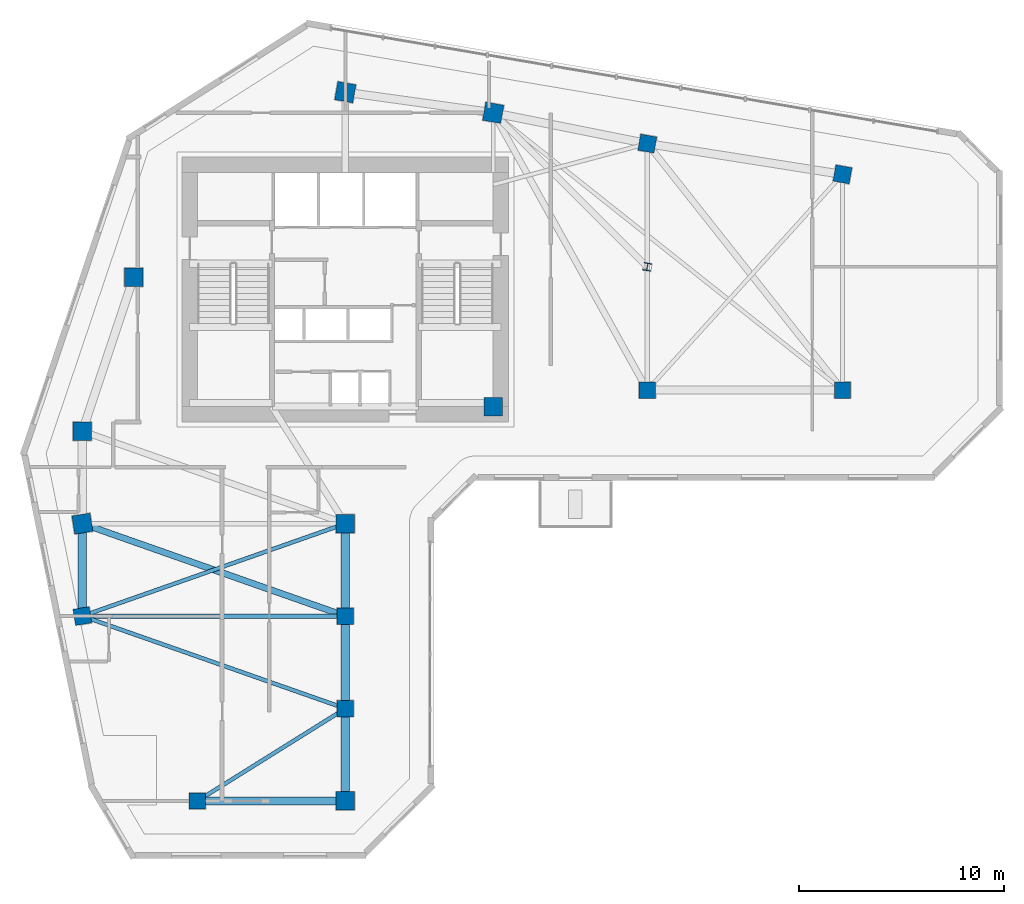
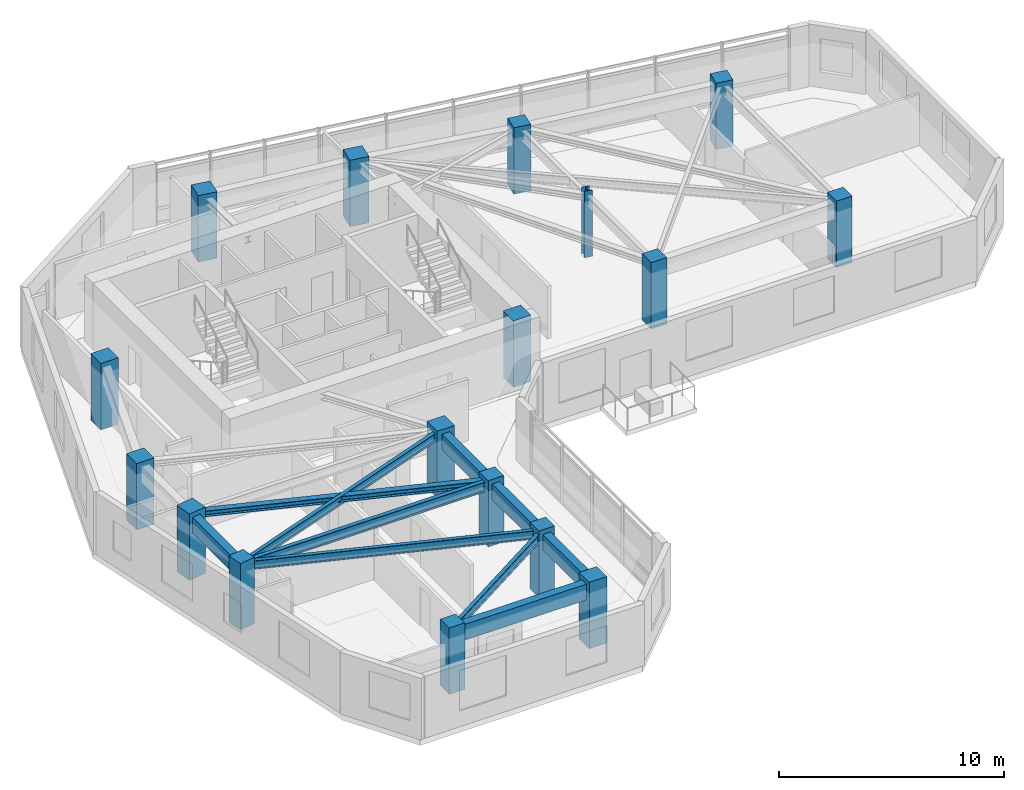
# One storey, part 1 of 10: 17 columns, 10 beams.
"""IFC4 building model written with IfcOpenShell, lengths in metres."""

from ifc_helpers import new_model, si_unit, direction, frame, origin, origin_2d, place, context, subcontext, project, spatial, rectangle, i_section, extrude, source, transform, mapped, material, material_profile, profile_set, type_object, element, save


model = new_model("IFC4")

# Units and contexts
model_context = context("Model", 3, precision=1e-05, world=origin(), true_north=direction((0.0, 1.0)))
body_context = subcontext(model_context, "Body", "Model", "MODEL_VIEW")
ifc_project = project(units=[si_unit("LENGTHUNIT", "METRE"), si_unit("AREAUNIT", "SQUARE_METRE"), si_unit("VOLUMEUNIT", "CUBIC_METRE"), si_unit("PLANEANGLEUNIT", "RADIAN"), si_unit("MASSUNIT", "GRAM", prefix="KILO")], contexts=[model_context])

# Site, building, storey
site_placement = place(None, origin())
site = spatial("IfcSite", under=ifc_project, at=site_placement, CompositionType="ELEMENT")
building_placement = place(site_placement, origin())
building = spatial("IfcBuilding", under=site, at=building_placement, Name="Calvemar Wedge Station Tower", CompositionType="ELEMENT")
storey_placement = place(building_placement, frame((0.0, 0.0, 139.39990234375)))
storey = spatial("IfcBuildingStorey", under=building, at=storey_placement, Name="L34", CompositionType="ELEMENT", Elevation=139.39990234375)

# Columns
ifc_material_1 = material(Name="Concrete C60", Category="concrete")
ifc_material_profile_1 = material_profile(ifc_material_1, rectangle(XDim=0.89990234375, YDim=0.89990234375, at=origin_2d()), Name="RC900x900")
ifc_profile_set_1 = profile_set([ifc_material_profile_1], Name="Concrete C60")
column_type_1 = type_object("IfcColumnType", Name="COL-C5-900", PredefinedType="COLUMN", material=ifc_profile_set_1)
shared_shape_1 = source(origin(), body_context, "Body", "SweptSolid", [
    extrude(rectangle(XDim=0.89990234375, YDim=0.89990234375, at=origin_2d()), origin(), (0.0, 0.0, 1.0), 3.60009765625),
])
for number, where, z_axis, x_axis, name in (
    (1, (11.0, 33.0, 0.0), (0.0, 0.0, 1.0), (1.0, 0.0, 0.0), "Storey L34 Column T-NW1"),
    (2, (13.5, 40.5, 0.0), (0.0, 0.0, 1.0), (1.0, 0.0, 0.0), "Storey L34 Column T-NW2"),
    (3, (23.800048828125, 49.5, 0.0), (0.0, 0.0, 1.0), (0.984195607969, -0.17708474032, 0.0), "Storey L34 Column T-N1"),
    (4, (31.0, 48.5, 0.0), (0.0, 0.0, 1.0), (0.984195607969, -0.17708474032, 0.0), "Storey L34 Column T-N2"),
    (5, (31.0, 34.199951171875, 0.0), (0.0, 0.0, 1.0), (1.0, 0.0, 0.0), "Storey L34 Column T-NL1"),
    (6, (11.0, 28.5, 0.0), (0.0, 0.0, 1.0), (0.158158067254, -0.987413806751, 0.0), "Storey L34 Column T-SW1"),
    (7, (23.800048828125, 28.5, 0.0), (0.0, 0.0, 1.0), (1.0, 0.0, 0.0), "Storey L34 Column T-SE1"),
    (8, (23.800048828125, 15.0, 0.0), (0.0, 0.0, 1.0), (1.0, 0.0, 0.0), "Storey L34 Column T-SE4"),
):
    element("IfcColumn", number, at=place(storey_placement, frame(where, z_axis=z_axis, x_axis=x_axis)), inside=storey, type_object=column_type_1, Name=name, PredefinedType="COLUMN", context=body_context, shape_type="MappedRepresentation", body=[
        mapped(shared_shape_1, transform((0.0, 0.0, 0.0), scale=1.0)),
    ])
ifc_material_2 = material(Name="Concrete C50", Category="concrete")
ifc_material_profile_2 = material_profile(ifc_material_2, rectangle(XDim=0.800048828125, YDim=0.800048828125, at=origin_2d()), Name="RC800x800")
ifc_profile_set_2 = profile_set([ifc_material_profile_2], Name="Concrete C50")
column_type_2 = type_object("IfcColumnType", Name="COL-C6-800", PredefinedType="COLUMN", material=ifc_profile_set_2)
shared_shape_2 = source(origin(), body_context, "Body", "SweptSolid", [
    extrude(rectangle(XDim=0.800048828125, YDim=0.800048828125, at=origin_2d()), origin(), (0.0, 0.0, 1.0), 3.60009765625),
])
for number, where, z_axis, x_axis, name in (
    (9, (38.5, 47.0, 0.0), (0.0, 0.0, 1.0), (0.984195607969, -0.17708474032, 0.0), "Storey L34 Column T-NU3"),
    (10, (48.0, 45.5, 0.0), (0.0, 0.0, 1.0), (0.984195607969, -0.17708474032, 0.0), "Storey L34 Column T-NU4"),
    (11, (38.5, 35.0, 0.0), (0.0, 0.0, 1.0), (1.0, 0.0, 0.0), "Storey L34 Column T-NL2"),
    (12, (48.0, 35.0, 0.0), (0.0, 0.0, 1.0), (1.0, 0.0, 0.0), "Storey L34 Column T-NL3"),
    (13, (11.0, 24.0, 0.0), (0.0, 0.0, 1.0), (0.158158067254, -0.987413806751, 0.0), "Storey L34 Column T-SW2"),
    (14, (23.800048828125, 24.0, 0.0), (0.0, 0.0, 1.0), (1.0, 0.0, 0.0), "Storey L34 Column T-SE2"),
    (15, (23.800048828125, 19.5, 0.0), (0.0, 0.0, 1.0), (1.0, 0.0, 0.0), "Storey L34 Column T-SE3"),
    (16, (16.60009765625, 15.0, 0.0), (0.0, 0.0, 1.0), (1.0, 0.0, 0.0), "Storey L34 Column T-SM1"),
):
    element("IfcColumn", number, at=place(storey_placement, frame(where, z_axis=z_axis, x_axis=x_axis)), inside=storey, type_object=column_type_2, Name=name, PredefinedType="COLUMN", context=body_context, shape_type="MappedRepresentation", body=[
        mapped(shared_shape_2, transform((0.0, 0.0, 0.0), scale=1.0)),
    ])
ifc_material_3 = material(Name="Structural steel ASTM A572 Grade 50", Category="steel")
ifc_material_profile_3 = material_profile(ifc_material_3, i_section(OverallWidth=0.3740234375, OverallDepth=0.3720703125, WebThickness=0.016357421875, FlangeThickness=0.026123046875, FilletRadius=0.014892578125, at=origin_2d()), Name="W360x196")
ifc_profile_set_3 = profile_set([ifc_material_profile_3], Name="Structural steel ASTM A572 Grade 50")
column_type_3 = type_object("IfcColumnType", Name="COL-STL-W360", PredefinedType="COLUMN", material=ifc_profile_set_3)
shared_shape_3 = source(origin(), body_context, "Body", "SweptSolid", [
    extrude(i_section(OverallWidth=0.3740234375, OverallDepth=0.3720703125, WebThickness=0.016357421875, FlangeThickness=0.026123046875, FilletRadius=0.014892578125, at=origin_2d()), origin(), (0.0, 0.0, 1.0), 3.60009765625),
])
column_placement = place(storey_placement, frame((38.5, 41.0, 0.0), z_axis=(0.0, 0.0, 1.0), x_axis=(0.984195607969, -0.17708474032, 0.0)))
element("IfcColumn", 17, at=column_placement, inside=storey, type_object=column_type_3, Name="Storey L34 Column T-NTIP-B", PredefinedType="COLUMN", context=body_context, shape_type="MappedRepresentation", body=[
    mapped(shared_shape_3, transform((0.0, 0.0, 0.0), scale=1.0)),
])

# Beams
ifc_material_profile_4 = material_profile(ifc_material_1, rectangle(XDim=0.39990234375, YDim=0.85009765625, at=origin_2d()), Name="RC400x850")
ifc_profile_set_4 = profile_set([ifc_material_profile_4], Name="Concrete C60")
beam_type_1 = type_object("IfcBeamType", Name="BM-SP1-850", PredefinedType="SPANDREL", material=ifc_profile_set_4)
shared_shape_4 = source(origin(), body_context, "Body", "SweptSolid", [
    extrude(rectangle(XDim=0.39990234375, YDim=0.85009765625, at=origin_2d()), origin(), (0.0, 0.0, 1.0), 4.5),
])
for number, where, z_axis, x_axis, name in (
    (18, (11.0, 28.5, 2.925048828125), (0.0, -1.0, 0.0), (1.0, 0.0, 0.0), "Storey L34 Spandrel T-SW1-T-SW2"),
    (19, (23.800048828125, 28.5, 2.925048828125), (0.0, -1.0, 0.0), (1.0, 0.0, 0.0), "Storey L34 Spandrel T-SE1-T-SE2"),
    (20, (23.800048828125, 24.0, 2.925048828125), (0.0, -1.0, 0.0), (1.0, 0.0, 0.0), "Storey L34 Spandrel T-SE2-T-SE3"),
    (21, (23.800048828125, 19.5, 2.925048828125), (0.0, -1.0, 0.0), (1.0, 0.0, 0.0), "Storey L34 Spandrel T-SE3-T-SE4"),
):
    element("IfcBeam", number, at=place(storey_placement, frame(where, z_axis=z_axis, x_axis=x_axis)), inside=storey, type_object=beam_type_1, Name=name, PredefinedType="SPANDREL", context=body_context, shape_type="MappedRepresentation", body=[
        mapped(shared_shape_4, transform((0.0, 0.0, 0.0), scale=1.0)),
    ])
shared_shape_5 = source(origin(), body_context, "Body", "SweptSolid", [
    extrude(rectangle(XDim=0.39990234375, YDim=0.85009765625, at=origin_2d()), origin(), (0.0, 0.0, 1.0), 7.199951171875),
])
beam_1_placement = place(storey_placement, frame((16.60009765625, 15.0, 2.925048828125), z_axis=(1.0, 0.0, 0.0), x_axis=(0.0, 1.0, 0.0)))
element("IfcBeam", 22, at=beam_1_placement, inside=storey, type_object=beam_type_1, Name="Storey L34 Spandrel T-SM1-T-SE4", PredefinedType="SPANDREL", context=body_context, shape_type="MappedRepresentation", body=[
    mapped(shared_shape_5, transform((0.0, 0.0, 0.0), scale=1.0)),
])
ifc_material_profile_5 = material_profile(ifc_material_3, i_section(OverallWidth=0.30908203125, OverallDepth=0.322998046875, WebThickness=0.013916015625, FlangeThickness=0.02294921875, FilletRadius=0.014892578125, at=origin_2d()), Name="W310x143")
ifc_profile_set_5 = profile_set([ifc_material_profile_5], Name="Structural steel ASTM A572 Grade 50")
beam_type_2 = type_object("IfcBeamType", Name="BM-J5-W310H", PredefinedType="JOIST", material=ifc_profile_set_5)
shared_shape_6 = source(origin(), body_context, "Body", "SweptSolid", [
    extrude(i_section(OverallWidth=0.30908203125, OverallDepth=0.322998046875, WebThickness=0.013916015625, FlangeThickness=0.02294921875, FilletRadius=0.014892578125, at=origin_2d()), origin(), (0.0, 0.0, 1.0), 13.568115234375),
])
beam_2_placement = place(storey_placement, frame((11.0, 28.5, 3.1884765625), z_axis=(0.943398221169, -0.331662171939, 0.0), x_axis=(0.331662171939, 0.943398221169, 0.0)))
element("IfcBeam", 23, at=beam_2_placement, inside=storey, type_object=beam_type_2, Name="Storey L34 Floor Beam T-SW1-T-SE2", PredefinedType="JOIST", context=body_context, shape_type="MappedRepresentation", body=[
    mapped(shared_shape_6, transform((0.0, 0.0, 0.0), scale=1.0)),
])
ifc_material_profile_6 = material_profile(ifc_material_3, i_section(OverallWidth=0.19189453125, OverallDepth=0.462890625, WebThickness=0.010498046875, FlangeThickness=0.017578125, FilletRadius=0.012939453125, at=origin_2d()), Name="W460x89")
ifc_profile_set_6 = profile_set([ifc_material_profile_6], Name="Structural steel ASTM A572 Grade 50")
beam_type_3 = type_object("IfcBeamType", Name="BM-J1-W460", PredefinedType="JOIST", material=ifc_profile_set_6)
shared_shape_7 = source(origin(), body_context, "Body", "SweptSolid", [
    extrude(i_section(OverallWidth=0.19189453125, OverallDepth=0.462890625, WebThickness=0.010498046875, FlangeThickness=0.017578125, FilletRadius=0.012939453125, at=origin_2d()), origin(), (0.0, 0.0, 1.0), 13.568115234375),
])
for number, where, z_axis, x_axis, name in (
    (24, (23.800048828125, 28.5, 3.11865234375), (-0.943398221169, -0.331662171939, 0.0), (0.331662171939, -0.943398221169, 0.0), "Storey L34 Floor Beam T-SE1-T-SW2"),
    (25, (11.0, 24.0, 3.11865234375), (0.943398221169, -0.331662171939, 0.0), (0.331662171939, 0.943398221169, 0.0), "Storey L34 Floor Beam T-SW2-T-SE3"),
):
    element("IfcBeam", number, at=place(storey_placement, frame(where, z_axis=z_axis, x_axis=x_axis)), inside=storey, type_object=beam_type_3, Name=name, PredefinedType="JOIST", context=body_context, shape_type="MappedRepresentation", body=[
        mapped(shared_shape_7, transform((0.0, 0.0, 0.0), scale=1.0)),
    ])
shared_shape_8 = source(origin(), body_context, "Body", "SweptSolid", [
    extrude(i_section(OverallWidth=0.19189453125, OverallDepth=0.462890625, WebThickness=0.010498046875, FlangeThickness=0.017578125, FilletRadius=0.012939453125, at=origin_2d()), origin(), (0.0, 0.0, 1.0), 8.490478515625),
])
beam_3_placement = place(storey_placement, frame((23.800048828125, 19.5, 3.11865234375), z_axis=(-0.847996688584, -0.530001524668, 0.0), x_axis=(0.530001524668, -0.847996688584, 0.0)))
element("IfcBeam", 26, at=beam_3_placement, inside=storey, type_object=beam_type_3, Name="Storey L34 Floor Beam T-SE3-T-SM1", PredefinedType="JOIST", context=body_context, shape_type="MappedRepresentation", body=[
    mapped(shared_shape_8, transform((0.0, 0.0, 0.0), scale=1.0)),
])
ifc_material_profile_7 = material_profile(ifc_material_3, i_section(OverallWidth=0.2109375, OverallDepth=0.5390625, WebThickness=0.01171875, FlangeThickness=0.018798828125, FilletRadius=0.012939453125, at=origin_2d()), Name="W530x109")
ifc_profile_set_7 = profile_set([ifc_material_profile_7], Name="Structural steel ASTM A572 Grade 50")
beam_type_4 = type_object("IfcBeamType", Name="BM-SB4-W530", PredefinedType="BEAM", material=ifc_profile_set_7)
shared_shape_9 = source(origin(), body_context, "Body", "SweptSolid", [
    extrude(i_section(OverallWidth=0.2109375, OverallDepth=0.5390625, WebThickness=0.01171875, FlangeThickness=0.018798828125, FilletRadius=0.012939453125, at=origin_2d()), origin(), (0.0, 0.0, 1.0), 12.800048828125),
])
beam_4_placement = place(storey_placement, frame((11.0, 24.0, 3.08056640625), z_axis=(1.0, 0.0, 0.0), x_axis=(0.0, 1.0, 0.0)))
element("IfcBeam", 27, at=beam_4_placement, inside=storey, type_object=beam_type_4, Name="Storey L34 Floor Beam T-SW2-T-SE2", PredefinedType="BEAM", context=body_context, shape_type="MappedRepresentation", body=[
    mapped(shared_shape_9, transform((0.0, 0.0, 0.0), scale=1.0)),
])

save(model, "model.ifc")
